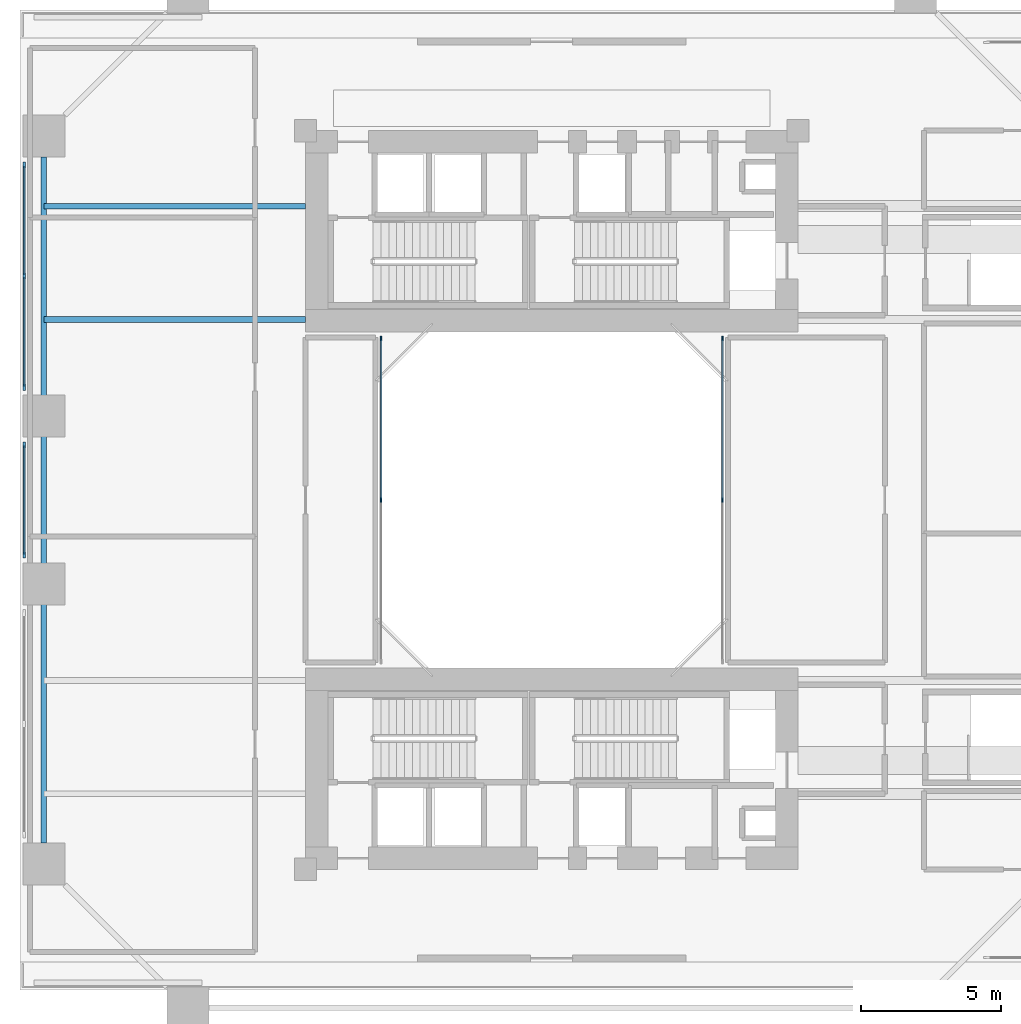
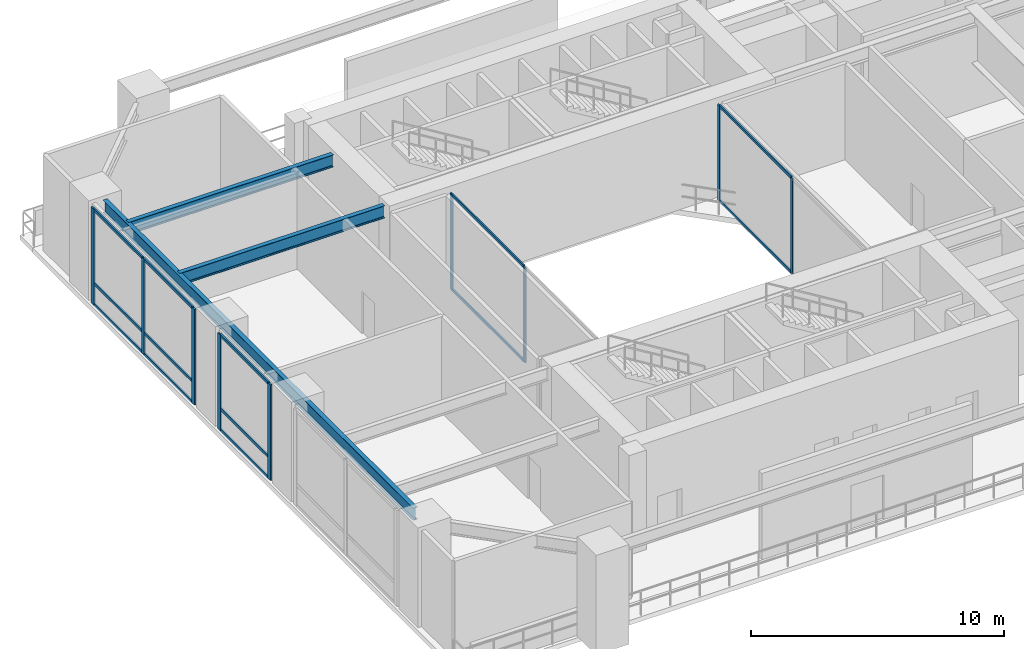
# One storey, part 4 of 19: 22 members, 3 beams, 4 elements without a shape of their own.
"""IFC4 building model written with IfcOpenShell, lengths in metres."""

from ifc_helpers import new_model, si_unit, direction, frame, origin, origin_2d, place, context, subcontext, project, spatial, rectangle, i_section, extrude, source, transform, mapped, material, layer, layer_set, material_profile, profile_set, type_object, element, aggregate, save


model = new_model("IFC4")

# Units and contexts
model_context = context("Model", 3, precision=1e-05, world=origin(), true_north=direction((0.0, 1.0)))
body_context = subcontext(model_context, "Body", "Model", "MODEL_VIEW")
ifc_project = project(units=[si_unit("LENGTHUNIT", "METRE"), si_unit("AREAUNIT", "SQUARE_METRE"), si_unit("VOLUMEUNIT", "CUBIC_METRE"), si_unit("PLANEANGLEUNIT", "RADIAN"), si_unit("MASSUNIT", "GRAM", prefix="KILO"), si_unit("THERMODYNAMICTEMPERATUREUNIT", "KELVIN"), si_unit("POWERUNIT", "WATT")], contexts=[model_context])

# Site, building, storey
site_placement = place(None, origin())
site = spatial("IfcSite", under=ifc_project, at=site_placement, CompositionType="ELEMENT")
building_placement = place(site_placement, origin())
building = spatial("IfcBuilding", under=site, at=building_placement, Name="Qiaomeng Ring Towers", CompositionType="ELEMENT")
storey_placement = place(building_placement, frame((0.0, 0.0, 18.199951171875)))
storey = spatial("IfcBuildingStorey", under=building, at=storey_placement, Name="L04", CompositionType="ELEMENT", Elevation=18.199951171875)

# Beams
ifc_material_1 = material(Name="Steel Q355B", Category="steel")
ifc_material_profile_1 = material_profile(ifc_material_1, i_section(OverallWidth=0.199951171875, OverallDepth=0.60009765625, WebThickness=0.010986328125, FlangeThickness=0.01708984375, FilletRadius=0.02197265625, at=origin_2d()), Name="HN 600x200x11x17")
ifc_profile_set_1 = profile_set([ifc_material_profile_1], Name="Steel Q355B")
beam_type = type_object("IfcBeamType", Name="STR-BM-HN600", PredefinedType="BEAM", material=ifc_profile_set_1)
shared_shape_1 = source(origin(), body_context, "Body", "SweptSolid", [
    extrude(i_section(OverallWidth=0.199951171875, OverallDepth=0.60009765625, WebThickness=0.010986328125, FlangeThickness=0.01708984375, FilletRadius=0.02197265625, at=origin_2d()), origin(), (0.0, 0.0, 1.0), 24.501953125),
])
beam_placement = place(storey_placement, frame((0.85009765625, 10.7490234375, 4.320068359375), z_axis=(0.0, 1.0, 0.0), x_axis=(-1.0, 0.0, 0.0)))
element("IfcBeam", 1, at=beam_placement, inside=storey, type_object=beam_type, Name="L04 beam STR-SP-L04-WL", PredefinedType="BEAM", context=body_context, shape_type="MappedRepresentation", body=[
    mapped(shared_shape_1, transform((0.0, 0.0, 0.0), x_axis=(1.0, 0.0, 0.0), y_axis=(0.0, 1.0, 0.0), z_axis=(0.0, 0.0, 1.0), scale=1.0)),
])
shared_shape_2 = source(origin(), body_context, "Body", "SweptSolid", [
    extrude(i_section(OverallWidth=0.199951171875, OverallDepth=0.60009765625, WebThickness=0.010986328125, FlangeThickness=0.01708984375, FilletRadius=0.02197265625, at=origin_2d()), origin(), (0.0, 0.0, 1.0), 9.349853515625),
])
for number, where, z_axis, x_axis, name in (
    (2, (0.85009765625, 29.449951171875, 4.320068359375), (1.0, 0.0, 0.0), (0.0, 1.0, 0.0), "L04 beam STR-BM-L04-W-2"),
    (3, (0.85009765625, 33.5, 4.320068359375), (1.0, 0.0, 0.0), (0.0, 1.0, 0.0), "L04 beam STR-BM-L04-W-3"),
):
    element("IfcBeam", number, at=place(storey_placement, frame(where, z_axis=z_axis, x_axis=x_axis)), inside=storey, type_object=beam_type, Name=name, PredefinedType="BEAM", context=body_context, shape_type="MappedRepresentation", body=[
        mapped(shared_shape_2, transform((0.0, 0.0, 0.0), x_axis=(1.0, 0.0, 0.0), y_axis=(0.0, 1.0, 0.0), z_axis=(0.0, 0.0, 1.0), scale=1.0)),
    ])

# Curtain wall, members
ifc_material_2 = material(Name="Fluorocarbon dark-grey aluminium", Category="aluminium")
ifc_layer_1 = layer(ifc_material_2, 0.179931640625, Name="Fluorocarbon dark-grey aluminium")
ifc_layer_set_1 = layer_set([ifc_layer_1], Name="Fluorocarbon dark-grey aluminium")
curtain_wall_type_1 = type_object("IfcCurtainWallType", Name="ARC-CW-1", PredefinedType="NOTDEFINED", material=ifc_layer_set_1)
curtain_wall_1_placement = place(storey_placement, origin())
curtain_wall_1 = element("IfcCurtainWall", 4, at=curtain_wall_1_placement, inside=storey, type_object=curtain_wall_type_1, Name="L04 Curtain Wall CW1", PredefinedType="NOTDEFINED")
ifc_material_profile_2 = material_profile(ifc_material_2, rectangle(XDim=0.070068359375, YDim=0.139892578125, at=origin_2d()), Name="ALU TRAN 70x140")
ifc_profile_set_2 = profile_set([ifc_material_profile_2], Name="Fluorocarbon dark-grey aluminium")
member_type_1 = type_object("IfcMemberType", Name="ARC-CWT-140", PredefinedType="USERDEFINED", material=ifc_profile_set_2)
shared_shape_3 = source(origin(), body_context, "Body", "SweptSolid", [
    extrude(rectangle(XDim=0.070068359375, YDim=0.139892578125, at=origin_2d()), origin(), (0.0, 0.0, 1.0), 3.889892578125),
])
member_1_placement = place(storey_placement, frame((0.14990234375, 27.070068359375, 0.03515625), z_axis=(0.0, 1.0, 0.0), x_axis=(-1.0, 0.0, 0.0)))
member_1 = element("IfcMember", 5, at=member_1_placement, type_object=member_type_1, Name="CW1 transom 1.1", ObjectType="TRANSOM", PredefinedType="USERDEFINED", context=body_context, shape_type="MappedRepresentation", body=[
    mapped(shared_shape_3, transform((0.0, 0.0, 0.0), x_axis=(1.0, 0.0, 0.0), y_axis=(0.0, 1.0, 0.0), z_axis=(0.0, 0.0, 1.0), scale=1.0)),
])
member_2_placement = place(storey_placement, frame((0.14990234375, 27.070068359375, 1.050048828125), z_axis=(0.0, 1.0, 0.0), x_axis=(-1.0, 0.0, 0.0)))
member_2 = element("IfcMember", 6, at=member_2_placement, type_object=member_type_1, Name="CW1 transom 1.2", ObjectType="TRANSOM", PredefinedType="USERDEFINED", context=body_context, shape_type="MappedRepresentation", body=[
    mapped(shared_shape_3, transform((0.0, 0.0, 0.0), x_axis=(1.0, 0.0, 0.0), y_axis=(0.0, 1.0, 0.0), z_axis=(0.0, 0.0, 1.0), scale=1.0)),
])
member_3_placement = place(storey_placement, frame((0.14990234375, 27.070068359375, 4.5849609375), z_axis=(0.0, 1.0, 0.0), x_axis=(-1.0, 0.0, 0.0)))
member_3 = element("IfcMember", 7, at=member_3_placement, type_object=member_type_1, Name="CW1 transom 1.3", ObjectType="TRANSOM", PredefinedType="USERDEFINED", context=body_context, shape_type="MappedRepresentation", body=[
    mapped(shared_shape_3, transform((0.0, 0.0, 0.0), x_axis=(1.0, 0.0, 0.0), y_axis=(0.0, 1.0, 0.0), z_axis=(0.0, 0.0, 1.0), scale=1.0)),
])
member_4_placement = place(storey_placement, frame((0.14990234375, 31.0400390625, 0.03515625), z_axis=(0.0, 1.0, 0.0), x_axis=(-1.0, 0.0, 0.0)))
member_4 = element("IfcMember", 8, at=member_4_placement, type_object=member_type_1, Name="CW1 transom 2.1", ObjectType="TRANSOM", PredefinedType="USERDEFINED", context=body_context, shape_type="MappedRepresentation", body=[
    mapped(shared_shape_3, transform((0.0, 0.0, 0.0), x_axis=(1.0, 0.0, 0.0), y_axis=(0.0, 1.0, 0.0), z_axis=(0.0, 0.0, 1.0), scale=1.0)),
])
member_5_placement = place(storey_placement, frame((0.14990234375, 31.0400390625, 1.050048828125), z_axis=(0.0, 1.0, 0.0), x_axis=(-1.0, 0.0, 0.0)))
member_5 = element("IfcMember", 9, at=member_5_placement, type_object=member_type_1, Name="CW1 transom 2.2", ObjectType="TRANSOM", PredefinedType="USERDEFINED", context=body_context, shape_type="MappedRepresentation", body=[
    mapped(shared_shape_3, transform((0.0, 0.0, 0.0), x_axis=(1.0, 0.0, 0.0), y_axis=(0.0, 1.0, 0.0), z_axis=(0.0, 0.0, 1.0), scale=1.0)),
])
member_6_placement = place(storey_placement, frame((0.14990234375, 31.0400390625, 4.5849609375), z_axis=(0.0, 1.0, 0.0), x_axis=(-1.0, 0.0, 0.0)))
member_6 = element("IfcMember", 10, at=member_6_placement, type_object=member_type_1, Name="CW1 transom 2.3", ObjectType="TRANSOM", PredefinedType="USERDEFINED", context=body_context, shape_type="MappedRepresentation", body=[
    mapped(shared_shape_3, transform((0.0, 0.0, 0.0), x_axis=(1.0, 0.0, 0.0), y_axis=(0.0, 1.0, 0.0), z_axis=(0.0, 0.0, 1.0), scale=1.0)),
])

curtain_wall_2_placement = place(storey_placement, origin())
curtain_wall_2 = element("IfcCurtainWall", 11, at=curtain_wall_2_placement, inside=storey, type_object=curtain_wall_type_1, Name="L04 Curtain Wall CW1", PredefinedType="NOTDEFINED")
shared_shape_4 = source(origin(), body_context, "Body", "SweptSolid", [
    extrude(rectangle(XDim=0.070068359375, YDim=0.139892578125, at=origin_2d()), origin(), (0.0, 0.0, 1.0), 3.85986328125),
])
member_7_placement = place(storey_placement, frame((0.14990234375, 21.070068359375, 0.03515625), z_axis=(0.0, 1.0, 0.0), x_axis=(-1.0, 0.0, 0.0)))
member_7 = element("IfcMember", 12, at=member_7_placement, type_object=member_type_1, Name="CW1 transom 1.1", ObjectType="TRANSOM", PredefinedType="USERDEFINED", context=body_context, shape_type="MappedRepresentation", body=[
    mapped(shared_shape_4, transform((0.0, 0.0, 0.0), x_axis=(1.0, 0.0, 0.0), y_axis=(0.0, 1.0, 0.0), z_axis=(0.0, 0.0, 1.0), scale=1.0)),
])
member_8_placement = place(storey_placement, frame((0.14990234375, 21.070068359375, 1.050048828125), z_axis=(0.0, 1.0, 0.0), x_axis=(-1.0, 0.0, 0.0)))
member_8 = element("IfcMember", 13, at=member_8_placement, type_object=member_type_1, Name="CW1 transom 1.2", ObjectType="TRANSOM", PredefinedType="USERDEFINED", context=body_context, shape_type="MappedRepresentation", body=[
    mapped(shared_shape_4, transform((0.0, 0.0, 0.0), x_axis=(1.0, 0.0, 0.0), y_axis=(0.0, 1.0, 0.0), z_axis=(0.0, 0.0, 1.0), scale=1.0)),
])
member_9_placement = place(storey_placement, frame((0.14990234375, 21.070068359375, 4.5849609375), z_axis=(0.0, 1.0, 0.0), x_axis=(-1.0, 0.0, 0.0)))
member_9 = element("IfcMember", 14, at=member_9_placement, type_object=member_type_1, Name="CW1 transom 1.3", ObjectType="TRANSOM", PredefinedType="USERDEFINED", context=body_context, shape_type="MappedRepresentation", body=[
    mapped(shared_shape_4, transform((0.0, 0.0, 0.0), x_axis=(1.0, 0.0, 0.0), y_axis=(0.0, 1.0, 0.0), z_axis=(0.0, 0.0, 1.0), scale=1.0)),
])

ifc_layer_2 = layer(ifc_material_2, 0.139892578125, Name="Fluorocarbon dark-grey aluminium")
ifc_layer_set_2 = layer_set([ifc_layer_2], Name="Fluorocarbon dark-grey aluminium")
curtain_wall_type_2 = type_object("IfcCurtainWallType", Name="ARC-CW-4", PredefinedType="NOTDEFINED", material=ifc_layer_set_2)
curtain_wall_3_placement = place(storey_placement, origin())
curtain_wall_3 = element("IfcCurtainWall", 15, at=curtain_wall_3_placement, inside=storey, type_object=curtain_wall_type_2, Name="L04 Curtain Wall CW4", PredefinedType="NOTDEFINED")
ifc_material_profile_3 = material_profile(ifc_material_2, rectangle(XDim=0.06494140625, YDim=0.1298828125, at=origin_2d()), Name="ALU TRAN 65x130")
ifc_profile_set_3 = profile_set([ifc_material_profile_3], Name="Fluorocarbon dark-grey aluminium")
member_type_2 = type_object("IfcMemberType", Name="ARC-CWT-120", PredefinedType="USERDEFINED", material=ifc_profile_set_3)
shared_shape_5 = source(origin(), body_context, "Body", "SweptSolid", [
    extrude(rectangle(XDim=0.06494140625, YDim=0.1298828125, at=origin_2d()), origin(), (0.0, 0.0, 1.0), 5.70263671875),
])
member_10_placement = place(storey_placement, frame((12.89990234375, 23.032470703125, 0.032470703125), z_axis=(0.0, 1.0, 0.0), x_axis=(-1.0, 0.0, 0.0)))
member_10 = element("IfcMember", 16, at=member_10_placement, type_object=member_type_2, Name="CW4 transom 2.1", ObjectType="TRANSOM", PredefinedType="USERDEFINED", context=body_context, shape_type="MappedRepresentation", body=[
    mapped(shared_shape_5, transform((0.0, 0.0, 0.0), x_axis=(1.0, 0.0, 0.0), y_axis=(0.0, 1.0, 0.0), z_axis=(0.0, 0.0, 1.0), scale=1.0)),
])
member_11_placement = place(storey_placement, frame((12.89990234375, 23.032470703125, 4.587646484375), z_axis=(0.0, 1.0, 0.0), x_axis=(-1.0, 0.0, 0.0)))
member_11 = element("IfcMember", 17, at=member_11_placement, type_object=member_type_2, Name="CW4 transom 2.2", ObjectType="TRANSOM", PredefinedType="USERDEFINED", context=body_context, shape_type="MappedRepresentation", body=[
    mapped(shared_shape_5, transform((0.0, 0.0, 0.0), x_axis=(1.0, 0.0, 0.0), y_axis=(0.0, 1.0, 0.0), z_axis=(0.0, 0.0, 1.0), scale=1.0)),
])

curtain_wall_4_placement = place(storey_placement, origin())
curtain_wall_4 = element("IfcCurtainWall", 18, at=curtain_wall_4_placement, inside=storey, type_object=curtain_wall_type_2, Name="L04 Curtain Wall CW4", PredefinedType="NOTDEFINED")
member_12_placement = place(storey_placement, frame((25.10009765625, 23.032470703125, 0.032470703125), z_axis=(0.0, 1.0, 0.0), x_axis=(-1.0, 0.0, 0.0)))
member_12 = element("IfcMember", 19, at=member_12_placement, type_object=member_type_2, Name="CW4 transom 2.1", ObjectType="TRANSOM", PredefinedType="USERDEFINED", context=body_context, shape_type="MappedRepresentation", body=[
    mapped(shared_shape_5, transform((0.0, 0.0, 0.0), x_axis=(1.0, 0.0, 0.0), y_axis=(0.0, 1.0, 0.0), z_axis=(0.0, 0.0, 1.0), scale=1.0)),
])
member_13_placement = place(storey_placement, frame((25.10009765625, 23.032470703125, 4.587646484375), z_axis=(0.0, 1.0, 0.0), x_axis=(-1.0, 0.0, 0.0)))
member_13 = element("IfcMember", 20, at=member_13_placement, type_object=member_type_2, Name="CW4 transom 2.2", ObjectType="TRANSOM", PredefinedType="USERDEFINED", context=body_context, shape_type="MappedRepresentation", body=[
    mapped(shared_shape_5, transform((0.0, 0.0, 0.0), x_axis=(1.0, 0.0, 0.0), y_axis=(0.0, 1.0, 0.0), z_axis=(0.0, 0.0, 1.0), scale=1.0)),
])

# Member
ifc_material_profile_4 = material_profile(ifc_material_2, rectangle(XDim=0.080078125, YDim=0.219970703125, at=origin_2d()), Name="ALU MULL 80x220")
ifc_profile_set_4 = profile_set([ifc_material_profile_4], Name="Fluorocarbon dark-grey aluminium")
member_type_3 = type_object("IfcMemberType", Name="ARC-CWM-180", PredefinedType="MULLION", material=ifc_profile_set_4)
shared_shape_6 = source(origin(), body_context, "Body", "SweptSolid", [
    extrude(rectangle(XDim=0.080078125, YDim=0.219970703125, at=origin_2d()), origin(), (0.0, 0.0, 1.0), 4.6201171875),
])
member_14_placement = place(storey_placement, frame((0.14990234375, 21.030029296875, 0.0), z_axis=(0.0, 0.0, 1.0), x_axis=(-1.0, 0.0, 0.0)))
member_14 = element("IfcMember", 21, at=member_14_placement, type_object=member_type_3, Name="CW1 mullion 1", PredefinedType="MULLION", context=body_context, shape_type="MappedRepresentation", body=[
    mapped(shared_shape_6, transform((0.0, 0.0, 0.0), x_axis=(1.0, 0.0, 0.0), y_axis=(0.0, 1.0, 0.0), z_axis=(0.0, 0.0, 1.0), scale=1.0)),
])

member_15_placement = place(storey_placement, frame((0.14990234375, 24.969970703125, 0.0), z_axis=(0.0, 0.0, 1.0), x_axis=(-1.0, 0.0, 0.0)))
member_15 = element("IfcMember", 22, at=member_15_placement, type_object=member_type_3, Name="CW1 mullion 2", PredefinedType="MULLION", context=body_context, shape_type="MappedRepresentation", body=[
    mapped(shared_shape_6, transform((0.0, 0.0, 0.0), x_axis=(1.0, 0.0, 0.0), y_axis=(0.0, 1.0, 0.0), z_axis=(0.0, 0.0, 1.0), scale=1.0)),
])

aggregate(curtain_wall_2, [member_14, member_15, member_7, member_8, member_9])

member_16_placement = place(storey_placement, frame((0.14990234375, 27.030029296875, 0.0), z_axis=(0.0, 0.0, 1.0), x_axis=(-1.0, 0.0, 0.0)))
member_16 = element("IfcMember", 23, at=member_16_placement, type_object=member_type_3, Name="CW1 mullion 1", PredefinedType="MULLION", context=body_context, shape_type="MappedRepresentation", body=[
    mapped(shared_shape_6, transform((0.0, 0.0, 0.0), x_axis=(1.0, 0.0, 0.0), y_axis=(0.0, 1.0, 0.0), z_axis=(0.0, 0.0, 1.0), scale=1.0)),
])

member_17_placement = place(storey_placement, frame((0.14990234375, 31.0, 0.0), z_axis=(0.0, 0.0, 1.0), x_axis=(-1.0, 0.0, 0.0)))
member_17 = element("IfcMember", 24, at=member_17_placement, type_object=member_type_3, Name="CW1 mullion 2", PredefinedType="MULLION", context=body_context, shape_type="MappedRepresentation", body=[
    mapped(shared_shape_6, transform((0.0, 0.0, 0.0), x_axis=(1.0, 0.0, 0.0), y_axis=(0.0, 1.0, 0.0), z_axis=(0.0, 0.0, 1.0), scale=1.0)),
])

member_18_placement = place(storey_placement, frame((0.14990234375, 34.969970703125, 0.0), z_axis=(0.0, 0.0, 1.0), x_axis=(-1.0, 0.0, 0.0)))
member_18 = element("IfcMember", 25, at=member_18_placement, type_object=member_type_3, Name="CW1 mullion 3", PredefinedType="MULLION", context=body_context, shape_type="MappedRepresentation", body=[
    mapped(shared_shape_6, transform((0.0, 0.0, 0.0), x_axis=(1.0, 0.0, 0.0), y_axis=(0.0, 1.0, 0.0), z_axis=(0.0, 0.0, 1.0), scale=1.0)),
])

aggregate(curtain_wall_1, [member_16, member_17, member_18, member_1, member_2, member_3, member_4, member_5, member_6])

ifc_material_profile_5 = material_profile(ifc_material_2, rectangle(XDim=0.06494140625, YDim=0.159912109375, at=origin_2d()), Name="ALU MULL 65x160")
ifc_profile_set_5 = profile_set([ifc_material_profile_5], Name="Fluorocarbon dark-grey aluminium")
member_type_4 = type_object("IfcMemberType", Name="ARC-CWM-140", PredefinedType="MULLION", material=ifc_profile_set_5)
shared_shape_7 = source(origin(), body_context, "Body", "SweptSolid", [
    extrude(rectangle(XDim=0.06494140625, YDim=0.159912109375, at=origin_2d()), origin(), (0.0, 0.0, 1.0), 4.6201171875),
])
member_19_placement = place(storey_placement, frame((12.89990234375, 23.0, 0.0), z_axis=(0.0, 0.0, 1.0), x_axis=(-1.0, 0.0, 0.0)))
member_19 = element("IfcMember", 26, at=member_19_placement, type_object=member_type_4, Name="CW4 mullion 2", PredefinedType="MULLION", context=body_context, shape_type="MappedRepresentation", body=[
    mapped(shared_shape_7, transform((0.0, 0.0, 0.0), x_axis=(1.0, 0.0, 0.0), y_axis=(0.0, 1.0, 0.0), z_axis=(0.0, 0.0, 1.0), scale=1.0)),
])

member_20_placement = place(storey_placement, frame((12.89990234375, 28.767578125, 0.0), z_axis=(0.0, 0.0, 1.0), x_axis=(-1.0, 0.0, 0.0)))
member_20 = element("IfcMember", 27, at=member_20_placement, type_object=member_type_4, Name="CW4 mullion 3", PredefinedType="MULLION", context=body_context, shape_type="MappedRepresentation", body=[
    mapped(shared_shape_7, transform((0.0, 0.0, 0.0), x_axis=(1.0, 0.0, 0.0), y_axis=(0.0, 1.0, 0.0), z_axis=(0.0, 0.0, 1.0), scale=1.0)),
])

aggregate(curtain_wall_3, [member_19, member_20, member_10, member_11])

member_21_placement = place(storey_placement, frame((25.10009765625, 23.0, 0.0), z_axis=(0.0, 0.0, 1.0), x_axis=(-1.0, 0.0, 0.0)))
member_21 = element("IfcMember", 28, at=member_21_placement, type_object=member_type_4, Name="CW4 mullion 2", PredefinedType="MULLION", context=body_context, shape_type="MappedRepresentation", body=[
    mapped(shared_shape_7, transform((0.0, 0.0, 0.0), x_axis=(1.0, 0.0, 0.0), y_axis=(0.0, 1.0, 0.0), z_axis=(0.0, 0.0, 1.0), scale=1.0)),
])

member_22_placement = place(storey_placement, frame((25.10009765625, 28.767578125, 0.0), z_axis=(0.0, 0.0, 1.0), x_axis=(-1.0, 0.0, 0.0)))
member_22 = element("IfcMember", 29, at=member_22_placement, type_object=member_type_4, Name="CW4 mullion 3", PredefinedType="MULLION", context=body_context, shape_type="MappedRepresentation", body=[
    mapped(shared_shape_7, transform((0.0, 0.0, 0.0), x_axis=(1.0, 0.0, 0.0), y_axis=(0.0, 1.0, 0.0), z_axis=(0.0, 0.0, 1.0), scale=1.0)),
])

aggregate(curtain_wall_4, [member_21, member_22, member_12, member_13])

save(model, "model.ifc")
